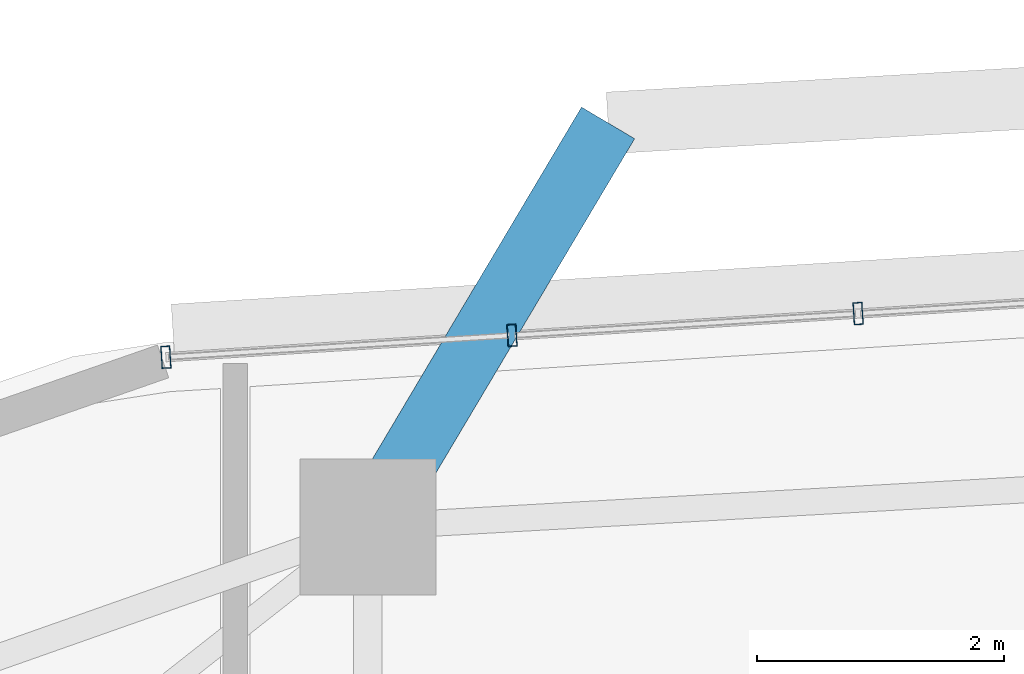
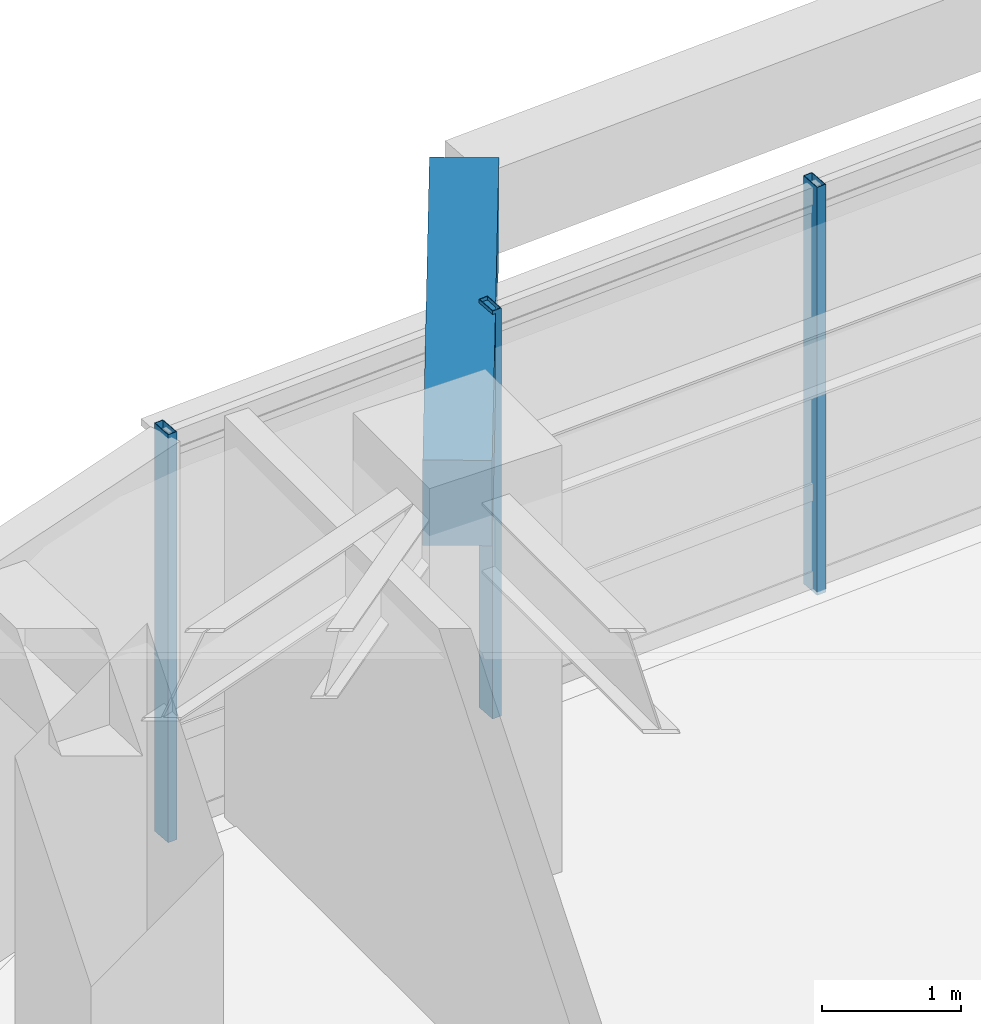
# One storey, part 2 of 13: 3 members, 1 beam, 1 element without a shape of its own.
"""IFC4 building model written with IfcOpenShell, lengths in metres."""

from ifc_helpers import new_model, si_unit, direction, frame, origin, origin_2d, place, context, subcontext, project, spatial, rectangle, hollow_rectangle, extrude, material, material_profile, profile_set, type_object, element, aggregate, save


model = new_model("IFC4")

# Units and contexts
model_context = context("Model", 3, precision=1e-05, world=origin(), true_north=direction((0.0, 1.0)))
body_context = subcontext(model_context, "Body", "Model", "MODEL_VIEW")
ifc_project = project(units=[si_unit("LENGTHUNIT", "METRE"), si_unit("AREAUNIT", "SQUARE_METRE"), si_unit("VOLUMEUNIT", "CUBIC_METRE"), si_unit("PLANEANGLEUNIT", "RADIAN"), si_unit("MASSUNIT", "GRAM", prefix="KILO")], contexts=[model_context])

# Site, building, storey
site_placement = place(None, origin())
site = spatial("IfcSite", under=ifc_project, at=site_placement, CompositionType="ELEMENT")
building_placement = place(site_placement, origin())
building = spatial("IfcBuilding", under=site, at=building_placement, Name="Zulverin Broadcast Headquarters", CompositionType="ELEMENT")
storey_placement = place(building_placement, frame((0.0, 0.0, 101.0)))
storey = spatial("IfcBuildingStorey", under=building, at=storey_placement, Name="L25", CompositionType="ELEMENT", Elevation=101.0)

# Beam
ifc_material_1 = material(Name="Concrete C40/50", Category="concrete")
ifc_material_profile_1 = material_profile(ifc_material_1, rectangle(XDim=0.5, YDim=0.75, at=origin_2d()), Name="Concrete C40/50", Category="concrete")
ifc_profile_set_1 = profile_set([ifc_material_profile_1], Name="Concrete C40/50")
beam_type = type_object("IfcBeamType", Name="BM-RC-500x750", PredefinedType="BEAM", material=ifc_profile_set_1)
beam_placement = place(storey_placement, frame((29.873779296875, 46.482177734375, 3.14990234375), z_axis=(0.511024077234, 0.859566397952, 0.0), x_axis=(-0.859566397952, 0.511024077234, 0.0)))
element("IfcBeam", 1, at=beam_placement, inside=storey, type_object=beam_type, Name="L26 Balcony Column-Framed Cantilever BAL_N-2", PredefinedType="BEAM", context=body_context, shape_type="SweptSolid", body=[
    extrude(rectangle(XDim=0.5, YDim=0.75, at=origin_2d()), origin(), (0.0, 0.0, 1.0), 3.800048828125),
])

# Curtain wall, members
ifc_material_2 = material(Name="Low-zone ribbon unitised curtain wall", Category="aluminium")
curtain_wall_type = type_object("IfcCurtainWallType", Name="CW-TWR-LOW", PredefinedType="USERDEFINED", material=ifc_material_2)
curtain_wall_placement = place(storey_placement, origin())
curtain_wall = element("IfcCurtainWall", 2, at=curtain_wall_placement, inside=storey, type_object=curtain_wall_type, Name="L25 Unitised Curtain Wall CW-L25-E5", ObjectType="UNITISED CURTAIN WALL", PredefinedType="USERDEFINED")
ifc_material_3 = material(Name="Anodized pale-metal aluminium alloy 6063-T6", Category="aluminium")
ifc_material_profile_2 = material_profile(ifc_material_3, hollow_rectangle(XDim=0.074951171875, YDim=0.179931640625, WallThickness=0.0048828125, at=origin_2d()), Name="Anodized pale-metal aluminium alloy 6063-T6", Category="aluminium")
ifc_profile_set_2 = profile_set([ifc_material_profile_2], Name="Anodized pale-metal aluminium alloy 6063-T6")
member_type = type_object("IfcMemberType", Name="CW-MUL-180", PredefinedType="MULLION", material=ifc_profile_set_2)
member_1_placement = place(storey_placement, frame((33.83740234375, 48.206787109375, -0.030029296875), z_axis=(0.0, 0.0, 1.0), x_axis=(-0.998017621976, -0.062935095345, 0.0)))
member_1 = element("IfcMember", 3, at=member_1_placement, type_object=member_type, Name="CW-L25-E5 Mullion 05", PredefinedType="MULLION", context=body_context, shape_type="SweptSolid", body=[
    extrude(hollow_rectangle(XDim=0.074951171875, YDim=0.179931640625, WallThickness=0.0048828125, at=origin_2d()), origin(), (0.0, 0.0, 1.0), 3.5849609375),
])
member_2_placement = place(storey_placement, frame((31.03857421875, 48.030517578125, -0.030029296875), z_axis=(0.0, 0.0, 1.0), x_axis=(-0.998017621976, -0.062935095345, 0.0)))
member_2 = element("IfcMember", 4, at=member_2_placement, type_object=member_type, Name="CW-L25-E5 Mullion 06", PredefinedType="MULLION", context=body_context, shape_type="SweptSolid", body=[
    extrude(hollow_rectangle(XDim=0.074951171875, YDim=0.179931640625, WallThickness=0.0048828125, at=origin_2d()), origin(), (0.0, 0.0, 1.0), 3.5849609375),
])
member_3_placement = place(storey_placement, frame((28.239990234375, 47.85400390625, -0.030029296875), z_axis=(0.0, 0.0, 1.0), x_axis=(-0.998017621976, -0.062935095345, 0.0)))
member_3 = element("IfcMember", 5, at=member_3_placement, type_object=member_type, Name="CW-L25-E5 Mullion 07", PredefinedType="MULLION", context=body_context, shape_type="SweptSolid", body=[
    extrude(hollow_rectangle(XDim=0.074951171875, YDim=0.179931640625, WallThickness=0.0048828125, at=origin_2d()), origin(), (0.0, 0.0, 1.0), 3.5849609375),
])
aggregate(curtain_wall, [member_1, member_2, member_3])

save(model, "model.ifc")
